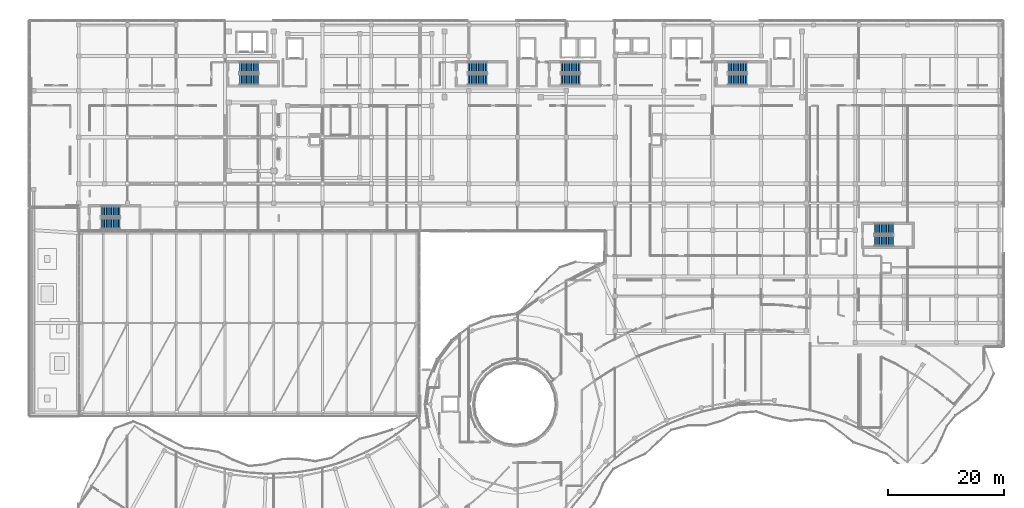
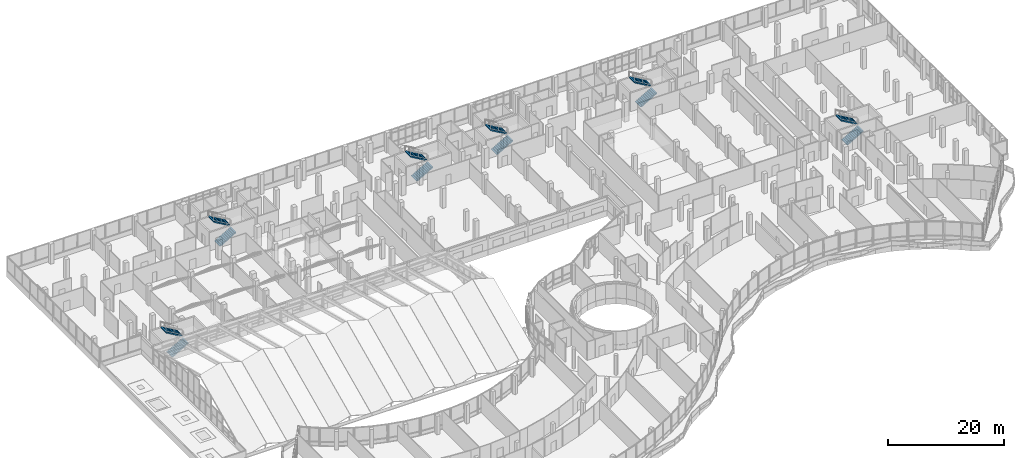
# One storey, part 173 of 184: 12 stair flights, 6 elements without a shape of their own.
"""IFC4 building model written with IfcOpenShell, lengths in metres."""

from ifc_helpers import new_model, si_unit, direction, frame, origin, place, context, subcontext, project, spatial, polyline, outline, extrude, material, layer, layer_set, type_object, element, aggregate, save


model = new_model("IFC4")

# Units and contexts
model_context = context("Model", 3, precision=1e-05, world=origin(), true_north=direction((0.0, 1.0)))
body_context = subcontext(model_context, "Body", "Model", "MODEL_VIEW")
ifc_project = project(units=[si_unit("LENGTHUNIT", "METRE"), si_unit("AREAUNIT", "SQUARE_METRE"), si_unit("VOLUMEUNIT", "CUBIC_METRE"), si_unit("PLANEANGLEUNIT", "RADIAN"), si_unit("MASSUNIT", "GRAM", prefix="KILO")], contexts=[model_context])

# Site, building, storey
site_placement = place(None, origin())
site = spatial("IfcSite", under=ifc_project, at=site_placement, CompositionType="ELEMENT")
building_placement = place(site_placement, origin())
building = spatial("IfcBuilding", under=site, at=building_placement, Name="Selatvlak General Hospital", CompositionType="ELEMENT")
storey_placement = place(building_placement, frame((0.0, 0.0, 15.0)))
storey = spatial("IfcBuildingStorey", under=building, at=storey_placement, Name="L03", CompositionType="ELEMENT", Elevation=15.0)

# Stair, stair flights
ifc_material = material(Name="Precast concrete C40/50", Category="concrete")
stair_type_1 = type_object("IfcStairType", Name="STAIR-ST-01", PredefinedType="HALF_TURN_STAIR", material=ifc_material)
stair_1_placement = place(storey_placement, origin())
stair_1 = element("IfcStair", 1, at=stair_1_placement, inside=storey, type_object=stair_type_1, Name="L03 Protected exit stair ST-01", PredefinedType="HALF_TURN_STAIR")
ifc_layer_1 = layer(ifc_material, 0.179931640625, Name="Precast concrete C40/50", Category="concrete")
ifc_layer_set_1 = layer_set([ifc_layer_1], Name="Precast concrete C40/50")
stair_flight_type_1 = type_object("IfcStairFlightType", Name="FLIGHT-ST-01", PredefinedType="STRAIGHT", material=ifc_layer_set_1)
stair_flight_1_placement = place(storey_placement, frame((50.510009765625, 109.929931640625, 0.0), z_axis=(0.0, 0.0, 1.0), x_axis=(1.0, 0.0, 0.0)))
stair_flight_1 = element("IfcStairFlight", 2, at=stair_flight_1_placement, type_object=stair_flight_type_1, Name="ST-01 flight 1", NumberOfRisers=12, NumberOfTreads=11, PredefinedType="STRAIGHT", RiserHeight=0.175, TreadLength=0.3, context=body_context, shape_type="SweptSolid", body=[
    extrude(outline(polyline([(0.0, 0.0), (0.0, 0.175048828125), (0.300048828125, 0.175048828125), (0.300048828125, 0.35009765625), (0.60009765625, 0.35009765625), (0.60009765625, 0.52490234375), (0.89990234375, 0.52490234375), (0.89990234375, 0.699951171875), (1.199951171875, 0.699951171875), (1.199951171875, 0.875), (1.5, 0.875), (1.5, 1.050048828125), (1.800048828125, 1.050048828125), (1.800048828125, 1.22509765625), (2.10009765625, 1.22509765625), (2.10009765625, 1.39990234375), (2.39990234375, 1.39990234375), (2.39990234375, 1.574951171875), (2.699951171875, 1.574951171875), (2.699951171875, 1.75), (3.0, 1.75), (3.0, 1.925048828125), (3.300048828125, 1.925048828125), (3.300048828125, 2.10009765625), (3.300048828125, 1.716796875), (0.357177734375, 0.0), (0.0, 0.0)])), frame((0.0, 0.93017578125, 0.0), z_axis=(0.0, -1.0, 0.0), x_axis=(1.0, 0.0, 0.0)), (0.0, 0.0, 1.0), 1.860107421875),
])
stair_flight_2_placement = place(storey_placement, frame((53.81005859375, 112.010009765625, 2.10009765625), z_axis=(0.0, 0.0, 1.0), x_axis=(-1.0, 0.0, 0.0)))
stair_flight_2 = element("IfcStairFlight", 3, at=stair_flight_2_placement, type_object=stair_flight_type_1, Name="ST-01 flight 2", NumberOfRisers=12, NumberOfTreads=11, PredefinedType="STRAIGHT", RiserHeight=0.175, TreadLength=0.3, context=body_context, shape_type="SweptSolid", body=[
    extrude(outline(polyline([(0.0, 0.0), (0.0, 0.175048828125), (0.300048828125, 0.175048828125), (0.300048828125, 0.35009765625), (0.60009765625, 0.35009765625), (0.60009765625, 0.52490234375), (0.89990234375, 0.52490234375), (0.89990234375, 0.699951171875), (1.199951171875, 0.699951171875), (1.199951171875, 0.875), (1.5, 0.875), (1.5, 1.050048828125), (1.800048828125, 1.050048828125), (1.800048828125, 1.22509765625), (2.10009765625, 1.22509765625), (2.10009765625, 1.39990234375), (2.39990234375, 1.39990234375), (2.39990234375, 1.574951171875), (2.699951171875, 1.574951171875), (2.699951171875, 1.75), (3.0, 1.75), (3.0, 1.925048828125), (3.300048828125, 1.925048828125), (3.300048828125, 2.10009765625), (3.300048828125, 1.716796875), (0.357177734375, 0.0), (0.0, 0.0)])), frame((0.0, 0.93017578125, 0.0), z_axis=(0.0, -1.0, 0.0), x_axis=(1.0, 0.0, 0.0)), (0.0, 0.0, 1.0), 1.860107421875),
])
aggregate(stair_1, [stair_flight_1, stair_flight_2])

stair_type_2 = type_object("IfcStairType", Name="STAIR-ST-02", PredefinedType="HALF_TURN_STAIR", material=ifc_material)
stair_2_placement = place(storey_placement, origin())
stair_2 = element("IfcStair", 4, at=stair_2_placement, inside=storey, type_object=stair_type_2, Name="L03 Protected exit stair ST-02", PredefinedType="HALF_TURN_STAIR")
ifc_layer_2 = layer(ifc_material, 0.179931640625, Name="Precast concrete C40/50", Category="concrete")
ifc_layer_set_2 = layer_set([ifc_layer_2], Name="Precast concrete C40/50")
stair_flight_type_2 = type_object("IfcStairFlightType", Name="FLIGHT-ST-02", PredefinedType="STRAIGHT", material=ifc_layer_set_2)
stair_flight_3_placement = place(storey_placement, frame((89.860107421875, 109.929931640625, 0.0), z_axis=(0.0, 0.0, 1.0), x_axis=(1.0, 0.0, 0.0)))
stair_flight_3 = element("IfcStairFlight", 5, at=stair_flight_3_placement, type_object=stair_flight_type_2, Name="ST-02 flight 1", NumberOfRisers=12, NumberOfTreads=11, PredefinedType="STRAIGHT", RiserHeight=0.175, TreadLength=0.3, context=body_context, shape_type="SweptSolid", body=[
    extrude(outline(polyline([(0.0, 0.0), (0.0, 0.175048828125), (0.300048828125, 0.175048828125), (0.300048828125, 0.35009765625), (0.60009765625, 0.35009765625), (0.60009765625, 0.52490234375), (0.89990234375, 0.52490234375), (0.89990234375, 0.699951171875), (1.199951171875, 0.699951171875), (1.199951171875, 0.875), (1.5, 0.875), (1.5, 1.050048828125), (1.800048828125, 1.050048828125), (1.800048828125, 1.22509765625), (2.10009765625, 1.22509765625), (2.10009765625, 1.39990234375), (2.39990234375, 1.39990234375), (2.39990234375, 1.574951171875), (2.699951171875, 1.574951171875), (2.699951171875, 1.75), (3.0, 1.75), (3.0, 1.925048828125), (3.300048828125, 1.925048828125), (3.300048828125, 2.10009765625), (3.300048828125, 1.716796875), (0.357177734375, 0.0), (0.0, 0.0)])), frame((0.0, 0.93017578125, 0.0), z_axis=(0.0, -1.0, 0.0), x_axis=(1.0, 0.0, 0.0)), (0.0, 0.0, 1.0), 1.860107421875),
])
stair_flight_4_placement = place(storey_placement, frame((93.159912109375, 112.010009765625, 2.10009765625), z_axis=(0.0, 0.0, 1.0), x_axis=(-1.0, 0.0, 0.0)))
stair_flight_4 = element("IfcStairFlight", 6, at=stair_flight_4_placement, type_object=stair_flight_type_2, Name="ST-02 flight 2", NumberOfRisers=12, NumberOfTreads=11, PredefinedType="STRAIGHT", RiserHeight=0.175, TreadLength=0.3, context=body_context, shape_type="SweptSolid", body=[
    extrude(outline(polyline([(0.0, 0.0), (0.0, 0.175048828125), (0.300048828125, 0.175048828125), (0.300048828125, 0.35009765625), (0.60009765625, 0.35009765625), (0.60009765625, 0.52490234375), (0.89990234375, 0.52490234375), (0.89990234375, 0.699951171875), (1.199951171875, 0.699951171875), (1.199951171875, 0.875), (1.5, 0.875), (1.5, 1.050048828125), (1.800048828125, 1.050048828125), (1.800048828125, 1.22509765625), (2.10009765625, 1.22509765625), (2.10009765625, 1.39990234375), (2.39990234375, 1.39990234375), (2.39990234375, 1.574951171875), (2.699951171875, 1.574951171875), (2.699951171875, 1.75), (3.0, 1.75), (3.0, 1.925048828125), (3.300048828125, 1.925048828125), (3.300048828125, 2.10009765625), (3.300048828125, 1.716796875), (0.357177734375, 0.0), (0.0, 0.0)])), frame((0.0, 0.93017578125, 0.0), z_axis=(0.0, -1.0, 0.0), x_axis=(1.0, 0.0, 0.0)), (0.0, 0.0, 1.0), 1.860107421875),
])
aggregate(stair_2, [stair_flight_3, stair_flight_4])

stair_type_3 = type_object("IfcStairType", Name="STAIR-ST-03", PredefinedType="HALF_TURN_STAIR", material=ifc_material)
stair_3_placement = place(storey_placement, origin())
stair_3 = element("IfcStair", 7, at=stair_3_placement, inside=storey, type_object=stair_type_3, Name="L03 Protected exit stair ST-03", PredefinedType="HALF_TURN_STAIR")
ifc_layer_3 = layer(ifc_material, 0.179931640625, Name="Precast concrete C40/50", Category="concrete")
ifc_layer_set_3 = layer_set([ifc_layer_3], Name="Precast concrete C40/50")
stair_flight_type_3 = type_object("IfcStairFlightType", Name="FLIGHT-ST-03", PredefinedType="STRAIGHT", material=ifc_layer_set_3)
stair_flight_5_placement = place(storey_placement, frame((105.860107421875, 109.929931640625, 0.0), z_axis=(0.0, 0.0, 1.0), x_axis=(1.0, 0.0, 0.0)))
stair_flight_5 = element("IfcStairFlight", 8, at=stair_flight_5_placement, type_object=stair_flight_type_3, Name="ST-03 flight 1", NumberOfRisers=12, NumberOfTreads=11, PredefinedType="STRAIGHT", RiserHeight=0.175, TreadLength=0.3, context=body_context, shape_type="SweptSolid", body=[
    extrude(outline(polyline([(0.0, 0.0), (0.0, 0.175048828125), (0.300048828125, 0.175048828125), (0.300048828125, 0.35009765625), (0.60009765625, 0.35009765625), (0.60009765625, 0.52490234375), (0.89990234375, 0.52490234375), (0.89990234375, 0.699951171875), (1.199951171875, 0.699951171875), (1.199951171875, 0.875), (1.5, 0.875), (1.5, 1.050048828125), (1.800048828125, 1.050048828125), (1.800048828125, 1.22509765625), (2.10009765625, 1.22509765625), (2.10009765625, 1.39990234375), (2.39990234375, 1.39990234375), (2.39990234375, 1.574951171875), (2.699951171875, 1.574951171875), (2.699951171875, 1.75), (3.0, 1.75), (3.0, 1.925048828125), (3.300048828125, 1.925048828125), (3.300048828125, 2.10009765625), (3.300048828125, 1.716796875), (0.357177734375, 0.0), (0.0, 0.0)])), frame((0.0, 0.93017578125, 0.0), z_axis=(0.0, -1.0, 0.0), x_axis=(1.0, 0.0, 0.0)), (0.0, 0.0, 1.0), 1.860107421875),
])
stair_flight_6_placement = place(storey_placement, frame((109.159912109375, 112.010009765625, 2.10009765625), z_axis=(0.0, 0.0, 1.0), x_axis=(-1.0, 0.0, 0.0)))
stair_flight_6 = element("IfcStairFlight", 9, at=stair_flight_6_placement, type_object=stair_flight_type_3, Name="ST-03 flight 2", NumberOfRisers=12, NumberOfTreads=11, PredefinedType="STRAIGHT", RiserHeight=0.175, TreadLength=0.3, context=body_context, shape_type="SweptSolid", body=[
    extrude(outline(polyline([(0.0, 0.0), (0.0, 0.175048828125), (0.300048828125, 0.175048828125), (0.300048828125, 0.35009765625), (0.60009765625, 0.35009765625), (0.60009765625, 0.52490234375), (0.89990234375, 0.52490234375), (0.89990234375, 0.699951171875), (1.199951171875, 0.699951171875), (1.199951171875, 0.875), (1.5, 0.875), (1.5, 1.050048828125), (1.800048828125, 1.050048828125), (1.800048828125, 1.22509765625), (2.10009765625, 1.22509765625), (2.10009765625, 1.39990234375), (2.39990234375, 1.39990234375), (2.39990234375, 1.574951171875), (2.699951171875, 1.574951171875), (2.699951171875, 1.75), (3.0, 1.75), (3.0, 1.925048828125), (3.300048828125, 1.925048828125), (3.300048828125, 2.10009765625), (3.300048828125, 1.716796875), (0.357177734375, 0.0), (0.0, 0.0)])), frame((0.0, 0.93017578125, 0.0), z_axis=(0.0, -1.0, 0.0), x_axis=(1.0, 0.0, 0.0)), (0.0, 0.0, 1.0), 1.860107421875),
])
aggregate(stair_3, [stair_flight_5, stair_flight_6])

stair_type_4 = type_object("IfcStairType", Name="STAIR-ST-04", PredefinedType="HALF_TURN_STAIR", material=ifc_material)
stair_4_placement = place(storey_placement, origin())
stair_4 = element("IfcStair", 10, at=stair_4_placement, inside=storey, type_object=stair_type_4, Name="L03 Protected exit stair ST-04", PredefinedType="HALF_TURN_STAIR")
ifc_layer_4 = layer(ifc_material, 0.179931640625, Name="Precast concrete C40/50", Category="concrete")
ifc_layer_set_4 = layer_set([ifc_layer_4], Name="Precast concrete C40/50")
stair_flight_type_4 = type_object("IfcStairFlightType", Name="FLIGHT-ST-04", PredefinedType="STRAIGHT", material=ifc_layer_set_4)
stair_flight_7_placement = place(storey_placement, frame((134.659912109375, 109.929931640625, 0.0), z_axis=(0.0, 0.0, 1.0), x_axis=(1.0, 0.0, 0.0)))
stair_flight_7 = element("IfcStairFlight", 11, at=stair_flight_7_placement, type_object=stair_flight_type_4, Name="ST-04 flight 1", NumberOfRisers=12, NumberOfTreads=11, PredefinedType="STRAIGHT", RiserHeight=0.175, TreadLength=0.3, context=body_context, shape_type="SweptSolid", body=[
    extrude(outline(polyline([(0.0, 0.0), (0.0, 0.175048828125), (0.300048828125, 0.175048828125), (0.300048828125, 0.35009765625), (0.60009765625, 0.35009765625), (0.60009765625, 0.52490234375), (0.89990234375, 0.52490234375), (0.89990234375, 0.699951171875), (1.199951171875, 0.699951171875), (1.199951171875, 0.875), (1.5, 0.875), (1.5, 1.050048828125), (1.800048828125, 1.050048828125), (1.800048828125, 1.22509765625), (2.10009765625, 1.22509765625), (2.10009765625, 1.39990234375), (2.39990234375, 1.39990234375), (2.39990234375, 1.574951171875), (2.699951171875, 1.574951171875), (2.699951171875, 1.75), (3.0, 1.75), (3.0, 1.925048828125), (3.300048828125, 1.925048828125), (3.300048828125, 2.10009765625), (3.300048828125, 1.716796875), (0.357177734375, 0.0), (0.0, 0.0)])), frame((0.0, 0.93017578125, 0.0), z_axis=(0.0, -1.0, 0.0), x_axis=(1.0, 0.0, 0.0)), (0.0, 0.0, 1.0), 1.860107421875),
])
stair_flight_8_placement = place(storey_placement, frame((137.9599609375, 112.010009765625, 2.10009765625), z_axis=(0.0, 0.0, 1.0), x_axis=(-1.0, 0.0, 0.0)))
stair_flight_8 = element("IfcStairFlight", 12, at=stair_flight_8_placement, type_object=stair_flight_type_4, Name="ST-04 flight 2", NumberOfRisers=12, NumberOfTreads=11, PredefinedType="STRAIGHT", RiserHeight=0.175, TreadLength=0.3, context=body_context, shape_type="SweptSolid", body=[
    extrude(outline(polyline([(0.0, 0.0), (0.0, 0.175048828125), (0.300048828125, 0.175048828125), (0.300048828125, 0.35009765625), (0.60009765625, 0.35009765625), (0.60009765625, 0.52490234375), (0.89990234375, 0.52490234375), (0.89990234375, 0.699951171875), (1.199951171875, 0.699951171875), (1.199951171875, 0.875), (1.5, 0.875), (1.5, 1.050048828125), (1.800048828125, 1.050048828125), (1.800048828125, 1.22509765625), (2.10009765625, 1.22509765625), (2.10009765625, 1.39990234375), (2.39990234375, 1.39990234375), (2.39990234375, 1.574951171875), (2.699951171875, 1.574951171875), (2.699951171875, 1.75), (3.0, 1.75), (3.0, 1.925048828125), (3.300048828125, 1.925048828125), (3.300048828125, 2.10009765625), (3.300048828125, 1.716796875), (0.357177734375, 0.0), (0.0, 0.0)])), frame((0.0, 0.93017578125, 0.0), z_axis=(0.0, -1.0, 0.0), x_axis=(1.0, 0.0, 0.0)), (0.0, 0.0, 1.0), 1.860107421875),
])
aggregate(stair_4, [stair_flight_7, stair_flight_8])

stair_type_5 = type_object("IfcStairType", Name="STAIR-ST-06", PredefinedType="HALF_TURN_STAIR", material=ifc_material)
stair_5_placement = place(storey_placement, origin())
stair_5 = element("IfcStair", 13, at=stair_5_placement, inside=storey, type_object=stair_type_5, Name="L03 Protected exit stair ST-06", PredefinedType="HALF_TURN_STAIR")
ifc_layer_5 = layer(ifc_material, 0.179931640625, Name="Precast concrete C40/50", Category="concrete")
ifc_layer_set_5 = layer_set([ifc_layer_5], Name="Precast concrete C40/50")
stair_flight_type_5 = type_object("IfcStairFlightType", Name="FLIGHT-ST-06", PredefinedType="STRAIGHT", material=ifc_layer_set_5)
stair_flight_9_placement = place(storey_placement, frame((159.860107421875, 82.1298828125, 0.0), z_axis=(0.0, 0.0, 1.0), x_axis=(1.0, 0.0, 0.0)))
stair_flight_9 = element("IfcStairFlight", 14, at=stair_flight_9_placement, type_object=stair_flight_type_5, Name="ST-06 flight 1", NumberOfRisers=12, NumberOfTreads=11, PredefinedType="STRAIGHT", RiserHeight=0.175, TreadLength=0.3, context=body_context, shape_type="SweptSolid", body=[
    extrude(outline(polyline([(0.0, 0.0), (0.0, 0.175048828125), (0.300048828125, 0.175048828125), (0.300048828125, 0.35009765625), (0.60009765625, 0.35009765625), (0.60009765625, 0.52490234375), (0.89990234375, 0.52490234375), (0.89990234375, 0.699951171875), (1.199951171875, 0.699951171875), (1.199951171875, 0.875), (1.5, 0.875), (1.5, 1.050048828125), (1.800048828125, 1.050048828125), (1.800048828125, 1.22509765625), (2.10009765625, 1.22509765625), (2.10009765625, 1.39990234375), (2.39990234375, 1.39990234375), (2.39990234375, 1.574951171875), (2.699951171875, 1.574951171875), (2.699951171875, 1.75), (3.0, 1.75), (3.0, 1.925048828125), (3.300048828125, 1.925048828125), (3.300048828125, 2.10009765625), (3.300048828125, 1.716796875), (0.357177734375, 0.0), (0.0, 0.0)])), frame((0.0, 0.93017578125, 0.0), z_axis=(0.0, -1.0, 0.0), x_axis=(1.0, 0.0, 0.0)), (0.0, 0.0, 1.0), 1.860107421875),
])
stair_flight_10_placement = place(storey_placement, frame((163.159912109375, 84.2099609375, 2.10009765625), z_axis=(0.0, 0.0, 1.0), x_axis=(-1.0, 0.0, 0.0)))
stair_flight_10 = element("IfcStairFlight", 15, at=stair_flight_10_placement, type_object=stair_flight_type_5, Name="ST-06 flight 2", NumberOfRisers=12, NumberOfTreads=11, PredefinedType="STRAIGHT", RiserHeight=0.175, TreadLength=0.3, context=body_context, shape_type="SweptSolid", body=[
    extrude(outline(polyline([(0.0, 0.0), (0.0, 0.175048828125), (0.300048828125, 0.175048828125), (0.300048828125, 0.35009765625), (0.60009765625, 0.35009765625), (0.60009765625, 0.52490234375), (0.89990234375, 0.52490234375), (0.89990234375, 0.699951171875), (1.199951171875, 0.699951171875), (1.199951171875, 0.875), (1.5, 0.875), (1.5, 1.050048828125), (1.800048828125, 1.050048828125), (1.800048828125, 1.22509765625), (2.10009765625, 1.22509765625), (2.10009765625, 1.39990234375), (2.39990234375, 1.39990234375), (2.39990234375, 1.574951171875), (2.699951171875, 1.574951171875), (2.699951171875, 1.75), (3.0, 1.75), (3.0, 1.925048828125), (3.300048828125, 1.925048828125), (3.300048828125, 2.10009765625), (3.300048828125, 1.716796875), (0.357177734375, 0.0), (0.0, 0.0)])), frame((0.0, 0.93017578125, 0.0), z_axis=(0.0, -1.0, 0.0), x_axis=(1.0, 0.0, 0.0)), (0.0, 0.0, 1.0), 1.860107421875),
])
aggregate(stair_5, [stair_flight_9, stair_flight_10])

stair_type_6 = type_object("IfcStairType", Name="STAIR-ST-07", PredefinedType="HALF_TURN_STAIR", material=ifc_material)
stair_6_placement = place(storey_placement, origin())
stair_6 = element("IfcStair", 16, at=stair_6_placement, inside=storey, type_object=stair_type_6, Name="L03 Protected exit stair ST-07", PredefinedType="HALF_TURN_STAIR")
ifc_layer_6 = layer(ifc_material, 0.179931640625, Name="Precast concrete C40/50", Category="concrete")
ifc_layer_set_6 = layer_set([ifc_layer_6], Name="Precast concrete C40/50")
stair_flight_type_6 = type_object("IfcStairFlightType", Name="FLIGHT-ST-07", PredefinedType="STRAIGHT", material=ifc_layer_set_6)
stair_flight_11_placement = place(storey_placement, frame((26.659912109375, 85.1298828125, 0.0), z_axis=(0.0, 0.0, 1.0), x_axis=(1.0, 0.0, 0.0)))
stair_flight_11 = element("IfcStairFlight", 17, at=stair_flight_11_placement, type_object=stair_flight_type_6, Name="ST-07 flight 1", NumberOfRisers=12, NumberOfTreads=11, PredefinedType="STRAIGHT", RiserHeight=0.175, TreadLength=0.3, context=body_context, shape_type="SweptSolid", body=[
    extrude(outline(polyline([(0.0, 0.0), (0.0, 0.175048828125), (0.300048828125, 0.175048828125), (0.300048828125, 0.35009765625), (0.60009765625, 0.35009765625), (0.60009765625, 0.52490234375), (0.89990234375, 0.52490234375), (0.89990234375, 0.699951171875), (1.199951171875, 0.699951171875), (1.199951171875, 0.875), (1.5, 0.875), (1.5, 1.050048828125), (1.800048828125, 1.050048828125), (1.800048828125, 1.22509765625), (2.10009765625, 1.22509765625), (2.10009765625, 1.39990234375), (2.39990234375, 1.39990234375), (2.39990234375, 1.574951171875), (2.699951171875, 1.574951171875), (2.699951171875, 1.75), (3.0, 1.75), (3.0, 1.925048828125), (3.300048828125, 1.925048828125), (3.300048828125, 2.10009765625), (3.300048828125, 1.716796875), (0.357177734375, 0.0), (0.0, 0.0)])), frame((0.0, 0.93017578125, 0.0), z_axis=(0.0, -1.0, 0.0), x_axis=(1.0, 0.0, 0.0)), (0.0, 0.0, 1.0), 1.860107421875),
])
stair_flight_12_placement = place(storey_placement, frame((29.9599609375, 87.2099609375, 2.10009765625), z_axis=(0.0, 0.0, 1.0), x_axis=(-1.0, 0.0, 0.0)))
stair_flight_12 = element("IfcStairFlight", 18, at=stair_flight_12_placement, type_object=stair_flight_type_6, Name="ST-07 flight 2", NumberOfRisers=12, NumberOfTreads=11, PredefinedType="STRAIGHT", RiserHeight=0.175, TreadLength=0.3, context=body_context, shape_type="SweptSolid", body=[
    extrude(outline(polyline([(0.0, 0.0), (0.0, 0.175048828125), (0.300048828125, 0.175048828125), (0.300048828125, 0.35009765625), (0.60009765625, 0.35009765625), (0.60009765625, 0.52490234375), (0.89990234375, 0.52490234375), (0.89990234375, 0.699951171875), (1.199951171875, 0.699951171875), (1.199951171875, 0.875), (1.5, 0.875), (1.5, 1.050048828125), (1.800048828125, 1.050048828125), (1.800048828125, 1.22509765625), (2.10009765625, 1.22509765625), (2.10009765625, 1.39990234375), (2.39990234375, 1.39990234375), (2.39990234375, 1.574951171875), (2.699951171875, 1.574951171875), (2.699951171875, 1.75), (3.0, 1.75), (3.0, 1.925048828125), (3.300048828125, 1.925048828125), (3.300048828125, 2.10009765625), (3.300048828125, 1.716796875), (0.357177734375, 0.0), (0.0, 0.0)])), frame((0.0, 0.93017578125, 0.0), z_axis=(0.0, -1.0, 0.0), x_axis=(1.0, 0.0, 0.0)), (0.0, 0.0, 1.0), 1.860107421875),
])
aggregate(stair_6, [stair_flight_11, stair_flight_12])

save(model, "model.ifc")
